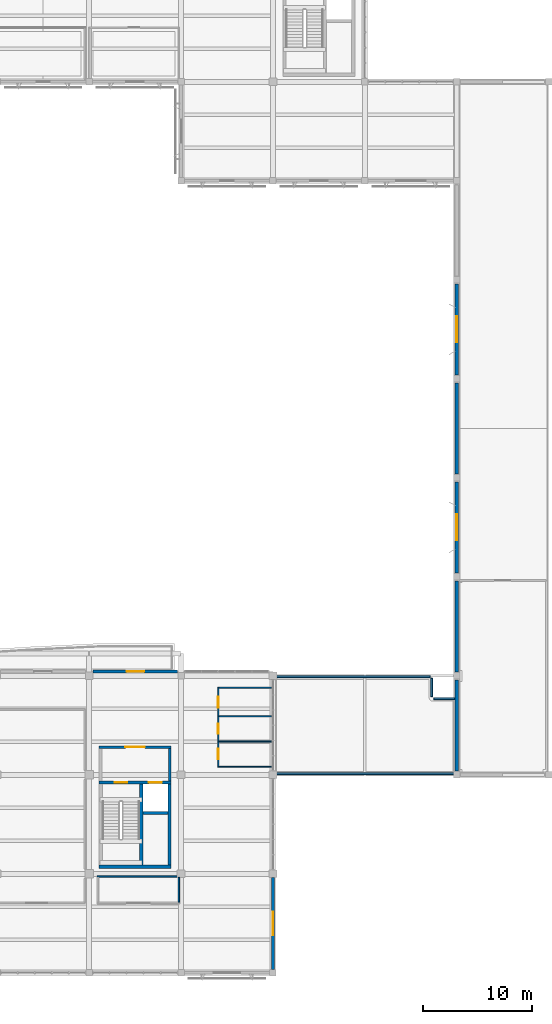
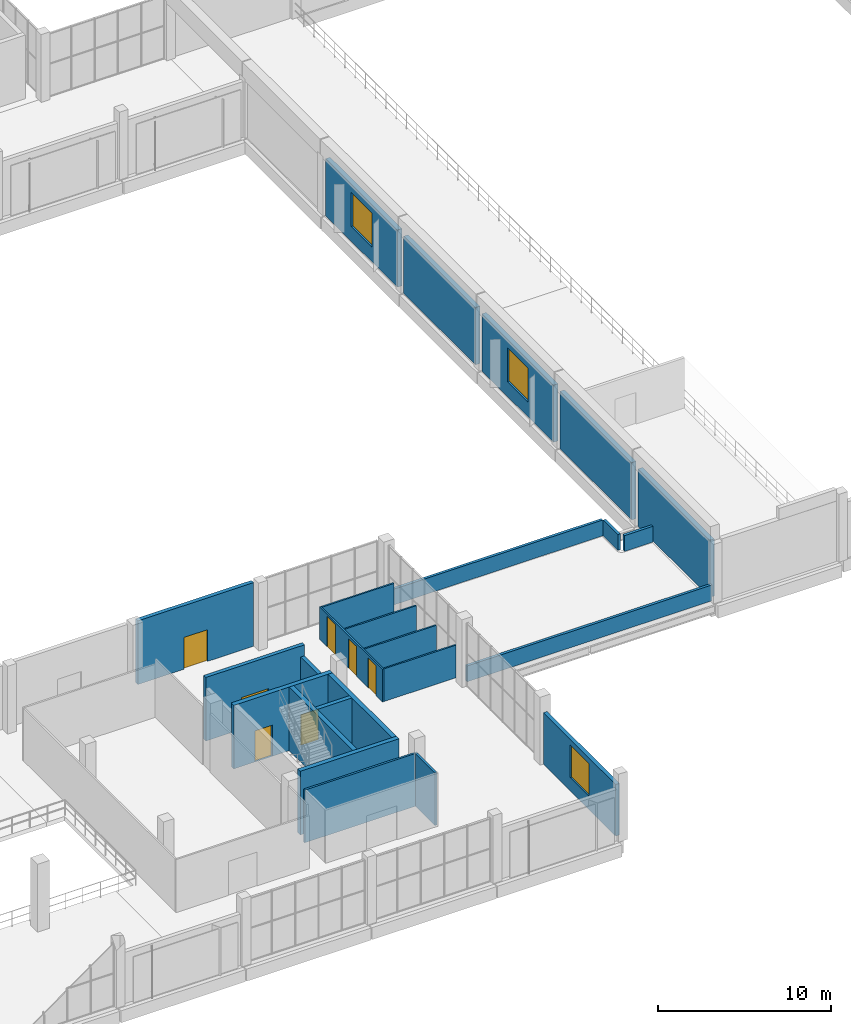
# One storey, part 58 of 80: 25 walls, 7 doors, 3 windows, 10 openings.
"""IFC4 building model written with IfcOpenShell, lengths in metres."""

from ifc_helpers import new_model, si_unit, direction, frame, frame_2d, origin, place, context, subcontext, project, spatial, rectangle, extrude, material, layer, layer_set, type_object, element, fill, save


model = new_model("IFC4")

# Units and contexts
model_context = context("Model", 3, precision=1e-05, world=origin(), true_north=direction((0.0, 1.0)))
body_context = subcontext(model_context, "Body", "Model", "MODEL_VIEW")
ifc_project = project(units=[si_unit("LENGTHUNIT", "METRE"), si_unit("AREAUNIT", "SQUARE_METRE"), si_unit("VOLUMEUNIT", "CUBIC_METRE"), si_unit("PLANEANGLEUNIT", "RADIAN"), si_unit("MASSUNIT", "GRAM", prefix="KILO")], contexts=[model_context])

# Site, building, storey
site_placement = place(None, origin())
site = spatial("IfcSite", under=ifc_project, at=site_placement, CompositionType="ELEMENT")
building_placement = place(site_placement, origin())
building = spatial("IfcBuilding", under=site, at=building_placement, Name="Khurvash Pelagic Aquarium", CompositionType="ELEMENT")
storey_placement = place(building_placement, frame((0.0, 0.0, 10.800048828125)))
storey = spatial("IfcBuildingStorey", under=building, at=storey_placement, Name="L02", CompositionType="ELEMENT", Elevation=10.800048828125)

# Wall, opening, window
ifc_material_1 = material(Name="Glass-fibre reinforced concrete C40/50", Category="concrete")
ifc_layer_1 = layer(ifc_material_1, 0.260009765625)
ifc_layer_set_1 = layer_set([ifc_layer_1], Name="Glass-fibre reinforced concrete C40/50")
wall_type_1 = type_object("IfcWallType", Name="EW-260", PredefinedType="STANDARD", material=ifc_layer_set_1)
wall_1_placement = place(storey_placement, frame((109.199951171875, 2.905029296875, 0.0), z_axis=(0.0, 0.0, 1.0), x_axis=(0.0, 1.0, 0.0)))
wall_1 = element("IfcWall", 1, at=wall_1_placement, inside=storey, type_object=wall_type_1, Name="L02 Exterior Architectural Facade Wall EW-260 0071", PredefinedType="STANDARD", context=body_context, shape_type="SweptSolid", body=[
    extrude(rectangle(XDim=8.389892578125, YDim=0.260009765625, at=frame_2d((4.19482421875, 0.0))), origin(), (0.0, 0.0, 1.0), 3.64990234375),
])
opening_1_placement = place(wall_1_placement, frame((3.1201171875, 0.0, 0.949951171875)))
opening_1 = element("IfcOpeningElement", 2, at=opening_1_placement, cuts=wall_1, Name="Opening WN-30", PredefinedType="OPENING", context=body_context, shape_type="SweptSolid", body=[
    extrude(rectangle(XDim=2.14990234375, YDim=2.300048828125, at=frame_2d((1.074951171875, 1.14990234375))), frame((0.0, 0.14013671875, 0.0), z_axis=(0.0, -1.0, 0.0), x_axis=(1.0, 0.0, 0.0)), (0.0, 0.0, 1.0), 0.280029296875),
])
ifc_material_2 = material(Name="Thermally broken aluminium and low-E glass", Category="aluminium")
window_type_1 = type_object("IfcWindowType", Name="WN-30", PartitioningType="SINGLE_PANEL", PredefinedType="WINDOW", material=ifc_material_2)
window_1_placement = place(opening_1_placement, origin())
window_1 = element("IfcWindow", 3, at=window_1_placement, inside=storey, type_object=window_type_1, Name="L02 Facade Window WN-30 0042", OverallHeight=2.300048828125, OverallWidth=2.14990234375, PartitioningType="SINGLE_PANEL", PredefinedType="WINDOW", context=body_context, shape_type="SweptSolid", body=[
    extrude(rectangle(XDim=2.14990234375, YDim=2.300048828125, at=frame_2d((1.074951171875, 1.14990234375))), frame((0.0, 0.030029296875, 0.0), z_axis=(0.0, -1.0, 0.0), x_axis=(1.0, 0.0, 0.0)), (0.0, 0.0, 1.0), 0.06005859375),
])
fill(opening_1, window_1)

# Wall, opening, door
wall_2_placement = place(storey_placement, frame((100.4951171875, 30.14990234375, 0.0), z_axis=(0.0, 0.0, 1.0), x_axis=(-1.0, 0.0, 0.0)))
wall_2 = element("IfcWall", 4, at=wall_2_placement, inside=storey, type_object=wall_type_1, Name="L02 Exterior Architectural Facade Wall EW-260 0072", PredefinedType="STANDARD", context=body_context, shape_type="SweptSolid", body=[
    extrude(rectangle(XDim=7.740234375, YDim=0.260009765625, at=frame_2d((3.8701171875, 0.0))), origin(), (0.0, 0.0, 1.0), 4.5),
])
opening_2_placement = place(wall_2_placement, frame((3.070068359375, 0.0, 0.0)))
opening_2 = element("IfcOpeningElement", 5, at=opening_2_placement, cuts=wall_2, Name="Opening ED-03", PredefinedType="OPENING", context=body_context, shape_type="SweptSolid", body=[
    extrude(rectangle(XDim=1.60009765625, YDim=2.25, at=frame_2d((0.800048828125, 1.125))), frame((0.0, 0.14013671875, 0.0), z_axis=(0.0, -1.0, 0.0), x_axis=(1.0, 0.0, 0.0)), (0.0, 0.0, 1.0), 0.280029296875),
])
ifc_material_3 = material(Name="Thermally broken glazed aluminium", Category="aluminium")
door_type_1 = type_object("IfcDoorType", Name="ED-03", OperationType="DOUBLE_DOOR_SINGLE_SWING", PredefinedType="DOOR", material=ifc_material_3)
door_1_placement = place(opening_2_placement, frame((1.60009765625, 0.0, 0.0), z_axis=(0.0, 0.0, 1.0), x_axis=(-1.0, 0.0, 0.0)))
door_1 = element("IfcDoor", 6, at=door_1_placement, inside=storey, type_object=door_type_1, Name="DR-0144", OperationType="DOUBLE_DOOR_SINGLE_SWING", OverallHeight=2.25, OverallWidth=1.60009765625, PredefinedType="DOOR", context=body_context, shape_type="SweptSolid", body=[
    extrude(rectangle(XDim=1.60009765625, YDim=2.25, at=frame_2d((0.800048828125, 1.125))), frame((0.0, 0.02490234375, 0.0), z_axis=(0.0, -1.0, 0.0), x_axis=(1.0, 0.0, 0.0)), (0.0, 0.0, 1.0), 0.050048828125),
])
fill(opening_2, door_1)

# Walls
ifc_material_4 = material(Name="Precast concrete C40/50", Category="concrete")
ifc_layer_2 = layer(ifc_material_4, 0.300048828125)
ifc_layer_set_2 = layer_set([ifc_layer_2], Name="Precast concrete C40/50")
wall_type_2 = type_object("IfcWallType", Name="EW-300", PredefinedType="STANDARD", material=ifc_layer_set_2)
for number, where, z_axis, x_axis, name in (
    (7, (126.0, 29.389892578125, 0.0), (0.0, 0.0, 1.0), (0.0, -1.0, 0.0), "L02 Ocean Tank Hall West Courtyard Wall EW-300 B1"),
    (8, (126.0, 38.43994140625, 0.0), (0.0, 0.0, 1.0), (0.0, -1.0, 0.0), "L02 Ocean Tank Hall West Courtyard Wall EW-300 B2"),
):
    element("IfcWall", number, at=place(storey_placement, frame(where, z_axis=z_axis, x_axis=x_axis)), inside=storey, type_object=wall_type_2, Name=name, PredefinedType="STANDARD", context=body_context, shape_type="SweptSolid", body=[
        extrude(rectangle(XDim=8.329833984375, YDim=0.300048828125, at=frame_2d((4.1650390625, 0.0))), origin(), (0.0, 0.0, 1.0), 4.050048828125),
    ])

# Wall, opening, window
wall_3_placement = place(storey_placement, frame((126.0, 47.489990234375, 0.0), z_axis=(0.0, 0.0, 1.0), x_axis=(0.0, -1.0, 0.0)))
wall_3 = element("IfcWall", 9, at=wall_3_placement, inside=storey, type_object=wall_type_2, Name="L02 Ocean Tank Hall West Courtyard Wall EW-300 B3", PredefinedType="STANDARD", context=body_context, shape_type="SweptSolid", body=[
    extrude(rectangle(XDim=8.330078125, YDim=0.300048828125, at=frame_2d((4.1650390625, 0.0))), origin(), (0.0, 0.0, 1.0), 4.050048828125),
])
opening_3_placement = place(wall_3_placement, frame((2.965087890625, 0.0, 1.050048828125)))
opening_3 = element("IfcOpeningElement", 10, at=opening_3_placement, cuts=wall_3, Name="Opening WN-02", PredefinedType="OPENING", context=body_context, shape_type="SweptSolid", body=[
    extrude(rectangle(XDim=2.39990234375, YDim=2.39990234375, at=frame_2d((1.199951171875, 1.199951171875))), frame((0.0, 0.16015625, 0.0), z_axis=(0.0, -1.0, 0.0), x_axis=(1.0, 0.0, 0.0)), (0.0, 0.0, 1.0), 0.320068359375),
])
window_type_2 = type_object("IfcWindowType", Name="WN-02", PartitioningType="SINGLE_PANEL", PredefinedType="WINDOW", material=ifc_material_2)
window_2_placement = place(opening_3_placement, origin())
window_2 = element("IfcWindow", 11, at=window_2_placement, inside=storey, type_object=window_type_2, Name="L02 Ocean Hall Courtyard Portal Window WN-02", OverallHeight=2.39990234375, OverallWidth=2.39990234375, PartitioningType="SINGLE_PANEL", PredefinedType="WINDOW", context=body_context, shape_type="SweptSolid", body=[
    extrude(rectangle(XDim=2.39990234375, YDim=2.39990234375, at=frame_2d((1.199951171875, 1.199951171875))), frame((0.0, 0.030029296875, 0.0), z_axis=(0.0, -1.0, 0.0), x_axis=(1.0, 0.0, 0.0)), (0.0, 0.0, 1.0), 0.06005859375),
])
fill(opening_3, window_2)

# Wall
wall_4_placement = place(storey_placement, frame((126.0, 56.5400390625, 0.0), z_axis=(0.0, 0.0, 1.0), x_axis=(0.0, -1.0, 0.0)))
element("IfcWall", 12, at=wall_4_placement, inside=storey, type_object=wall_type_2, Name="L02 Ocean Tank Hall West Courtyard Wall EW-300 B4", PredefinedType="STANDARD", context=body_context, shape_type="SweptSolid", body=[
    extrude(rectangle(XDim=8.330078125, YDim=0.300048828125, at=frame_2d((4.1650390625, 0.0))), origin(), (0.0, 0.0, 1.0), 4.050048828125),
])

# Wall, opening, window
wall_5_placement = place(storey_placement, frame((126.0, 65.590087890625, 0.0), z_axis=(0.0, 0.0, 1.0), x_axis=(0.0, -1.0, 0.0)))
wall_5 = element("IfcWall", 13, at=wall_5_placement, inside=storey, type_object=wall_type_2, Name="L02 Ocean Tank Hall West Courtyard Wall EW-300 B5", PredefinedType="STANDARD", context=body_context, shape_type="SweptSolid", body=[
    extrude(rectangle(XDim=8.330078125, YDim=0.300048828125, at=frame_2d((4.1650390625, 0.0))), origin(), (0.0, 0.0, 1.0), 4.050048828125),
])
opening_4_placement = place(wall_5_placement, frame((2.965087890625, 0.0, 1.050048828125)))
opening_4 = element("IfcOpeningElement", 14, at=opening_4_placement, cuts=wall_5, Name="Opening WN-02", PredefinedType="OPENING", context=body_context, shape_type="SweptSolid", body=[
    extrude(rectangle(XDim=2.39990234375, YDim=2.39990234375, at=frame_2d((1.199951171875, 1.199951171875))), frame((0.0, 0.16015625, 0.0), z_axis=(0.0, -1.0, 0.0), x_axis=(1.0, 0.0, 0.0)), (0.0, 0.0, 1.0), 0.320068359375),
])
window_3_placement = place(opening_4_placement, origin())
window_3 = element("IfcWindow", 15, at=window_3_placement, inside=storey, type_object=window_type_2, Name="L02 Ocean Hall Courtyard Portal Window WN-02", OverallHeight=2.39990234375, OverallWidth=2.39990234375, PartitioningType="SINGLE_PANEL", PredefinedType="WINDOW", context=body_context, shape_type="SweptSolid", body=[
    extrude(rectangle(XDim=2.39990234375, YDim=2.39990234375, at=frame_2d((1.199951171875, 1.199951171875))), frame((0.0, 0.030029296875, 0.0), z_axis=(0.0, -1.0, 0.0), x_axis=(1.0, 0.0, 0.0)), (0.0, 0.0, 1.0), 0.06005859375),
])
fill(opening_4, window_3)

# Walls
ifc_layer_3 = layer(ifc_material_4, 0.179931640625)
ifc_layer_set_3 = layer_set([ifc_layer_3], Name="Precast concrete C40/50")
wall_type_3 = type_object("IfcWallType", Name="PP-180", PredefinedType="PARAPET", material=ifc_layer_set_3)
wall_6_placement = place(storey_placement, frame((125.800048828125, 20.800048828125, 0.0), z_axis=(0.0, 0.0, 1.0), x_axis=(-1.0, 0.0, 0.0)))
element("IfcWall", 16, at=wall_6_placement, inside=storey, type_object=wall_type_3, Name="L02 Roof Perimeter Parapet Wall PP-180", PredefinedType="PARAPET", context=body_context, shape_type="SweptSolid", body=[
    extrude(rectangle(XDim=16.400146484375, YDim=0.179931640625, at=frame_2d((8.2001953125, 0.0))), origin(), (0.0, 0.0, 1.0), 1.119873046875),
])
wall_7_placement = place(storey_placement, frame((109.39990234375, 29.64990234375, 0.0), z_axis=(0.0, 0.0, 1.0), x_axis=(1.0, 0.0, 0.0)))
element("IfcWall", 17, at=wall_7_placement, inside=storey, type_object=wall_type_3, Name="L02 Roof Perimeter Parapet Wall PP-180", PredefinedType="PARAPET", context=body_context, shape_type="SweptSolid", body=[
    extrude(rectangle(XDim=14.2001953125, YDim=0.179931640625, at=frame_2d((7.10009765625, 0.0))), origin(), (0.0, 0.0, 1.0), 1.119873046875),
])
wall_8_placement = place(storey_placement, frame((123.699951171875, 29.550048828125, 0.0), z_axis=(0.0, 0.0, 1.0), x_axis=(0.0, -1.0, 0.0)))
element("IfcWall", 18, at=wall_8_placement, inside=storey, type_object=wall_type_3, Name="L02 Roof Perimeter Parapet Wall PP-180", PredefinedType="PARAPET", context=body_context, shape_type="SweptSolid", body=[
    extrude(rectangle(XDim=1.699951171875, YDim=0.179931640625, at=frame_2d((0.85009765625, 0.0))), origin(), (0.0, 0.0, 1.0), 1.119873046875),
])
wall_9_placement = place(storey_placement, frame((123.89990234375, 27.64990234375, 0.0), z_axis=(0.0, 0.0, 1.0), x_axis=(1.0, 0.0, 0.0)))
element("IfcWall", 19, at=wall_9_placement, inside=storey, type_object=wall_type_3, Name="L02 Roof Perimeter Parapet Wall PP-180", PredefinedType="PARAPET", context=body_context, shape_type="SweptSolid", body=[
    extrude(rectangle(XDim=1.900146484375, YDim=0.179931640625, at=frame_2d((0.9501953125, 0.0))), origin(), (0.0, 0.0, 1.0), 1.119873046875),
])

# Wall, openings, doors
ifc_material_5 = material(Name="Ceramic-tiled wet-room partition", Category="masonry")
ifc_layer_4 = layer(ifc_material_5, 0.110107421875)
ifc_layer_set_4 = layer_set([ifc_layer_4], Name="Ceramic-tiled wet-room partition")
wall_type_4 = type_object("IfcWallType", Name="PW-110", PredefinedType="PARTITIONING", material=ifc_layer_set_4)
wall_10_placement = place(storey_placement, frame((104.199951171875, 21.39501953125, 0.0), z_axis=(0.0, 0.0, 1.0), x_axis=(0.0, 1.0, 0.0)))
wall_10 = element("IfcWall", 20, at=wall_10_placement, inside=storey, type_object=wall_type_4, Name="L02 Restroom Bank Corridor Wall PW-110", PredefinedType="PARTITIONING", context=body_context, shape_type="SweptSolid", body=[
    extrude(rectangle(XDim=7.31005859375, YDim=0.110107421875, at=frame_2d((3.655029296875, 0.0))), origin(), (0.0, 0.0, 1.0), 2.31005859375),
])
opening_5_placement = place(wall_10_placement, frame((0.7451171875, 0.0, 0.0)))
opening_5 = element("IfcOpeningElement", 21, at=opening_5_placement, cuts=wall_10, Name="Opening ID-01", PredefinedType="OPENING", context=body_context, shape_type="SweptSolid", body=[
    extrude(rectangle(XDim=0.919921875, YDim=2.10009765625, at=frame_2d((0.4599609375, 1.050048828125))), frame((0.0, 0.06494140625, 0.0), z_axis=(0.0, -1.0, 0.0), x_axis=(1.0, 0.0, 0.0)), (0.0, 0.0, 1.0), 0.130126953125),
])
opening_6_placement = place(wall_10_placement, frame((3.044921875, 0.0, 0.0)))
opening_6 = element("IfcOpeningElement", 22, at=opening_6_placement, cuts=wall_10, Name="Opening ID-01", PredefinedType="OPENING", context=body_context, shape_type="SweptSolid", body=[
    extrude(rectangle(XDim=0.919921875, YDim=2.10009765625, at=frame_2d((0.4599609375, 1.050048828125))), frame((0.0, 0.06494140625, 0.0), z_axis=(0.0, -1.0, 0.0), x_axis=(1.0, 0.0, 0.0)), (0.0, 0.0, 1.0), 0.130126953125),
])
opening_7_placement = place(wall_10_placement, frame((5.455078125, 0.0, 0.0)))
opening_7 = element("IfcOpeningElement", 23, at=opening_7_placement, cuts=wall_10, Name="Opening ID-02", PredefinedType="OPENING", context=body_context, shape_type="SweptSolid", body=[
    extrude(rectangle(XDim=1.0, YDim=2.14990234375, at=frame_2d((0.5, 1.074951171875))), frame((0.0, 0.06494140625, 0.0), z_axis=(0.0, -1.0, 0.0), x_axis=(1.0, 0.0, 0.0)), (0.0, 0.0, 1.0), 0.130126953125),
])
ifc_material_6 = material(Name="High-pressure laminate solid-core timber", Category="wood")
door_type_2 = type_object("IfcDoorType", Name="ID-01", OperationType="NOTDEFINED", PredefinedType="DOOR", material=ifc_material_6)
door_2_placement = place(opening_5_placement, origin())
door_2 = element("IfcDoor", 24, at=door_2_placement, inside=storey, type_object=door_type_2, Name="DR-0153", OperationType="SINGLE_SWING_RIGHT", OverallHeight=2.10009765625, OverallWidth=0.919921875, PredefinedType="DOOR", context=body_context, shape_type="SweptSolid", body=[
    extrude(rectangle(XDim=0.919921875, YDim=2.10009765625, at=frame_2d((0.4599609375, 1.050048828125))), frame((0.0, 0.02490234375, 0.0), z_axis=(0.0, -1.0, 0.0), x_axis=(1.0, 0.0, 0.0)), (0.0, 0.0, 1.0), 0.050048828125),
])
fill(opening_5, door_2)
door_3_placement = place(opening_6_placement, origin())
door_3 = element("IfcDoor", 25, at=door_3_placement, inside=storey, type_object=door_type_2, Name="DR-0154", OperationType="SINGLE_SWING_LEFT", OverallHeight=2.10009765625, OverallWidth=0.919921875, PredefinedType="DOOR", context=body_context, shape_type="SweptSolid", body=[
    extrude(rectangle(XDim=0.919921875, YDim=2.10009765625, at=frame_2d((0.4599609375, 1.050048828125))), frame((0.0, 0.02490234375, 0.0), z_axis=(0.0, -1.0, 0.0), x_axis=(1.0, 0.0, 0.0)), (0.0, 0.0, 1.0), 0.050048828125),
])
fill(opening_6, door_3)
door_type_3 = type_object("IfcDoorType", Name="ID-02", OperationType="NOTDEFINED", PredefinedType="DOOR", material=ifc_material_6)
door_4_placement = place(opening_7_placement, origin())
door_4 = element("IfcDoor", 26, at=door_4_placement, inside=storey, type_object=door_type_3, Name="DR-0155", OperationType="SINGLE_SWING_RIGHT", OverallHeight=2.14990234375, OverallWidth=1.0, PredefinedType="DOOR", context=body_context, shape_type="SweptSolid", body=[
    extrude(rectangle(XDim=1.0, YDim=2.14990234375, at=frame_2d((0.5, 1.074951171875))), frame((0.0, 0.02490234375, 0.0), z_axis=(0.0, -1.0, 0.0), x_axis=(1.0, 0.0, 0.0)), (0.0, 0.0, 1.0), 0.050048828125),
])
fill(opening_7, door_4)

# Walls
for number, where, z_axis, x_axis, name in (
    (27, (104.2548828125, 21.449951171875, 0.0), (0.0, 0.0, 1.0), (1.0, 0.0, 0.0), "L02 Restroom Divider Partition PW-110"),
    (28, (104.2548828125, 23.75, 0.0), (0.0, 0.0, 1.0), (1.0, 0.0, 0.0), "L02 Restroom Divider Partition PW-110"),
    (29, (104.2548828125, 26.050048828125, 0.0), (0.0, 0.0, 1.0), (1.0, 0.0, 0.0), "L02 Restroom Divider Partition PW-110"),
    (30, (104.2548828125, 28.64990234375, 0.0), (0.0, 0.0, 1.0), (1.0, 0.0, 0.0), "L02 Restroom Divider Partition PW-110"),
):
    element("IfcWall", number, at=place(storey_placement, frame(where, z_axis=z_axis, x_axis=x_axis)), inside=storey, type_object=wall_type_4, Name=name, PredefinedType="PARTITIONING", context=body_context, shape_type="SweptSolid", body=[
        extrude(rectangle(XDim=4.815185546875, YDim=0.110107421875, at=frame_2d((2.40771484375, 0.0))), origin(), (0.0, 0.0, 1.0), 2.31005859375),
    ])
ifc_material_7 = material(Name="Moisture-resistant gypsum and steel stud", Category="steel")
ifc_layer_5 = layer(ifc_material_7, 0.139892578125)
ifc_layer_set_5 = layer_set([ifc_layer_5], Name="Moisture-resistant gypsum and steel stud")
wall_type_5 = type_object("IfcWallType", Name="PW-140", PredefinedType="PARTITIONING", material=ifc_layer_set_5)
wall_11_placement = place(storey_placement, frame((93.1298828125, 11.39990234375, 0.0), z_axis=(0.0, 0.0, 1.0), x_axis=(1.0, 0.0, 0.0)))
element("IfcWall", 31, at=wall_11_placement, inside=storey, type_object=wall_type_5, Name="L02 Amphibian Vivarium Gallery Partition Wall PW-140", PredefinedType="PARTITIONING", context=body_context, shape_type="SweptSolid", body=[
    extrude(rectangle(XDim=7.5400390625, YDim=0.139892578125, at=frame_2d((3.77001953125, 0.0))), origin(), (0.0, 0.0, 1.0), 3.72998046875),
])
wall_12_placement = place(storey_placement, frame((100.60009765625, 9.070068359375, 0.0), z_axis=(0.0, 0.0, 1.0), x_axis=(0.0, 1.0, 0.0)))
element("IfcWall", 32, at=wall_12_placement, inside=storey, type_object=wall_type_5, Name="L02 Amphibian Vivarium Gallery Partition Wall PW-140", PredefinedType="PARTITIONING", context=body_context, shape_type="SweptSolid", body=[
    extrude(rectangle(XDim=2.260009765625, YDim=0.139892578125, at=frame_2d((1.1298828125, 0.0))), origin(), (0.0, 0.0, 1.0), 3.72998046875),
])

# Wall, opening, door
ifc_material_8 = material(Name="AAC blockwork", Category="masonry")
ifc_layer_6 = layer(ifc_material_8, 0.25)
ifc_layer_set_6 = layer_set([ifc_layer_6], Name="AAC blockwork")
wall_type_6 = type_object("IfcWallType", Name="PW-250", PredefinedType="PARTITIONING", material=ifc_layer_set_6)
wall_13_placement = place(storey_placement, frame((93.300048828125, 23.22509765625, 0.0), z_axis=(0.0, 0.0, 1.0), x_axis=(1.0, 0.0, 0.0)))
wall_13 = element("IfcWall", 33, at=wall_13_placement, inside=storey, type_object=wall_type_6, Name="L02 Core C3 Lobby Front Fire Wall PW-250", PredefinedType="PARTITIONING", context=body_context, shape_type="SweptSolid", body=[
    extrude(rectangle(XDim=6.599853515625, YDim=0.25, at=frame_2d((3.2998046875, 0.0))), origin(), (0.0, 0.0, 1.0), 4.5),
])
opening_8_placement = place(wall_13_placement, frame((2.39990234375, 0.0, 0.0)))
opening_8 = element("IfcOpeningElement", 34, at=opening_8_placement, cuts=wall_13, Name="Opening FD-02", PredefinedType="OPENING", context=body_context, shape_type="SweptSolid", body=[
    extrude(rectangle(XDim=1.800048828125, YDim=2.25, at=frame_2d((0.89990234375, 1.125))), frame((0.0, 0.135009765625, 0.0), z_axis=(0.0, -1.0, 0.0), x_axis=(1.0, 0.0, 0.0)), (0.0, 0.0, 1.0), 0.27001953125),
])
ifc_material_9 = material(Name="Galvanised steel double fire door", Category="steel")
door_type_4 = type_object("IfcDoorType", Name="FD-02", OperationType="DOUBLE_DOOR_SINGLE_SWING", PredefinedType="DOOR", material=ifc_material_9)
door_5_placement = place(opening_8_placement, origin())
door_5 = element("IfcDoor", 35, at=door_5_placement, inside=storey, type_object=door_type_4, Name="DR-0168", OperationType="DOUBLE_DOOR_SINGLE_SWING", OverallHeight=2.25, OverallWidth=1.800048828125, PredefinedType="DOOR", context=body_context, shape_type="SweptSolid", body=[
    extrude(rectangle(XDim=1.800048828125, YDim=2.25, at=frame_2d((0.89990234375, 1.125))), frame((0.0, 0.02490234375, 0.0), z_axis=(0.0, -1.0, 0.0), x_axis=(1.0, 0.0, 0.0)), (0.0, 0.0, 1.0), 0.050048828125),
])
fill(opening_8, door_5)

# Walls
wall_14_placement = place(storey_placement, frame((99.77490234375, 20.14990234375, 0.0), z_axis=(0.0, 0.0, 1.0), x_axis=(0.0, 1.0, 0.0)))
element("IfcWall", 36, at=wall_14_placement, inside=storey, type_object=wall_type_6, Name="L02 Core C3 Lobby East Fire Wall PW-250", PredefinedType="PARTITIONING", context=body_context, shape_type="SweptSolid", body=[
    extrude(rectangle(XDim=2.9501953125, YDim=0.25, at=frame_2d((1.47509765625, 0.0))), origin(), (0.0, 0.0, 1.0), 3.72998046875),
])
ifc_material_10 = material(Name="Concrete C40/50", Category="concrete")
ifc_layer_7 = layer(ifc_material_10, 0.27490234375)
ifc_layer_set_7 = layer_set([ifc_layer_7], Name="Concrete C40/50")
wall_type_7 = type_object("IfcWallType", Name="SW-275", PredefinedType="SHEAR", material=ifc_layer_set_7)
wall_15_placement = place(storey_placement, frame((97.300048828125, 17.212890625, 0.0), z_axis=(0.0, 0.0, 1.0), x_axis=(1.0, 0.0, 0.0)))
element("IfcWall", 37, at=wall_15_placement, inside=storey, type_object=wall_type_7, Name="L02 Lift FL-02 Shaft Rear Shear Wall SW-275", PredefinedType="SHEAR", context=body_context, shape_type="SweptSolid", body=[
    extrude(rectangle(XDim=2.300048828125, YDim=0.27490234375, at=frame_2d((1.14990234375, 0.0))), origin(), (0.0, 0.0, 1.0), 4.5),
])
ifc_layer_8 = layer(ifc_material_10, 0.300048828125)
ifc_layer_set_8 = layer_set([ifc_layer_8], Name="Concrete C40/50")
wall_type_8 = type_object("IfcWallType", Name="SW-300", PredefinedType="SHEAR", material=ifc_layer_set_8)
wall_16_placement = place(storey_placement, frame((93.300048828125, 12.300048828125, 0.0), z_axis=(0.0, 0.0, 1.0), x_axis=(1.0, 0.0, 0.0)))
element("IfcWall", 38, at=wall_16_placement, inside=storey, type_object=wall_type_8, Name="L02 Core C3 South Shear Wall SW-300", PredefinedType="SHEAR", context=body_context, shape_type="SweptSolid", body=[
    extrude(rectangle(XDim=6.599853515625, YDim=0.300048828125, at=frame_2d((3.2998046875, 0.0))), origin(), (0.0, 0.0, 1.0), 4.5),
])

# Wall, openings, doors
wall_17_placement = place(storey_placement, frame((93.300048828125, 20.0, 0.0), z_axis=(0.0, 0.0, 1.0), x_axis=(1.0, 0.0, 0.0)))
wall_17 = element("IfcWall", 39, at=wall_17_placement, inside=storey, type_object=wall_type_8, Name="L02 Core C3 North Shear Wall SW-300", PredefinedType="SHEAR", context=body_context, shape_type="SweptSolid", body=[
    extrude(rectangle(XDim=6.599853515625, YDim=0.300048828125, at=frame_2d((3.2998046875, 0.0))), origin(), (0.0, 0.0, 1.0), 4.5),
])
opening_9_placement = place(wall_17_placement, frame((1.425048828125, 0.0, 0.0)))
opening_9 = element("IfcOpeningElement", 40, at=opening_9_placement, cuts=wall_17, Name="Opening FD-01", PredefinedType="OPENING", context=body_context, shape_type="SweptSolid", body=[
    extrude(rectangle(XDim=1.14990234375, YDim=2.199951171875, at=frame_2d((0.574951171875, 1.10009765625))), frame((0.0, 0.16015625, 0.0), z_axis=(0.0, -1.0, 0.0), x_axis=(1.0, 0.0, 0.0)), (0.0, 0.0, 1.0), 0.320068359375),
])
opening_10_placement = place(wall_17_placement, frame((4.550048828125, 0.0, 0.0)))
opening_10 = element("IfcOpeningElement", 41, at=opening_10_placement, cuts=wall_17, Name="Opening LD-01", PredefinedType="OPENING", context=body_context, shape_type="SweptSolid", body=[
    extrude(rectangle(XDim=1.199951171875, YDim=2.14990234375, at=frame_2d((0.60009765625, 1.074951171875))), frame((0.0, 0.16015625, 0.0), z_axis=(0.0, -1.0, 0.0), x_axis=(1.0, 0.0, 0.0)), (0.0, 0.0, 1.0), 0.320068359375),
])
ifc_material_11 = material(Name="Galvanised steel fire door", Category="steel")
door_type_5 = type_object("IfcDoorType", Name="FD-01", OperationType="NOTDEFINED", PredefinedType="DOOR", material=ifc_material_11)
door_6_placement = place(opening_9_placement, frame((1.14990234375, 0.0, 0.0), z_axis=(0.0, 0.0, 1.0), x_axis=(-1.0, 0.0, 0.0)))
door_6 = element("IfcDoor", 42, at=door_6_placement, inside=storey, type_object=door_type_5, Name="DR-0134", OperationType="SINGLE_SWING_RIGHT", OverallHeight=2.199951171875, OverallWidth=1.14990234375, PredefinedType="DOOR", context=body_context, shape_type="SweptSolid", body=[
    extrude(rectangle(XDim=1.14990234375, YDim=2.199951171875, at=frame_2d((0.574951171875, 1.10009765625))), frame((0.0, 0.02490234375, 0.0), z_axis=(0.0, -1.0, 0.0), x_axis=(1.0, 0.0, 0.0)), (0.0, 0.0, 1.0), 0.050048828125),
])
fill(opening_9, door_6)
ifc_material_12 = material(Name="Brushed stainless steel 316 lift landing door", Category="steel")
door_type_6 = type_object("IfcDoorType", Name="LD-01", OperationType="DOUBLE_DOOR_SLIDING", PredefinedType="DOOR", material=ifc_material_12)
door_7_placement = place(opening_10_placement, origin())
door_7 = element("IfcDoor", 43, at=door_7_placement, inside=storey, type_object=door_type_6, Name="DR-0140", OperationType="DOUBLE_DOOR_SLIDING", OverallHeight=2.14990234375, OverallWidth=1.199951171875, PredefinedType="DOOR", context=body_context, shape_type="SweptSolid", body=[
    extrude(rectangle(XDim=1.199951171875, YDim=2.14990234375, at=frame_2d((0.60009765625, 1.074951171875))), frame((0.0, 0.02490234375, 0.0), z_axis=(0.0, -1.0, 0.0), x_axis=(1.0, 0.0, 0.0)), (0.0, 0.0, 1.0), 0.050048828125),
])
fill(opening_10, door_7)

# Walls
for number, where, z_axis, x_axis, name in (
    (44, (99.75, 12.449951171875, 0.0), (0.0, 0.0, 1.0), (0.0, 1.0, 0.0), "L02 Core C3 East Shear Wall SW-300"),
    (45, (97.14990234375, 12.449951171875, 0.0), (0.0, 0.0, 1.0), (0.0, 1.0, 0.0), "L02 Core C3 Divider Shear Wall SW-300"),
):
    element("IfcWall", number, at=place(storey_placement, frame(where, z_axis=z_axis, x_axis=x_axis)), inside=storey, type_object=wall_type_8, Name=name, PredefinedType="SHEAR", context=body_context, shape_type="SweptSolid", body=[
        extrude(rectangle(XDim=7.400146484375, YDim=0.300048828125, at=frame_2d((3.7001953125, 0.0))), origin(), (0.0, 0.0, 1.0), 4.5),
    ])

save(model, "model.ifc")
